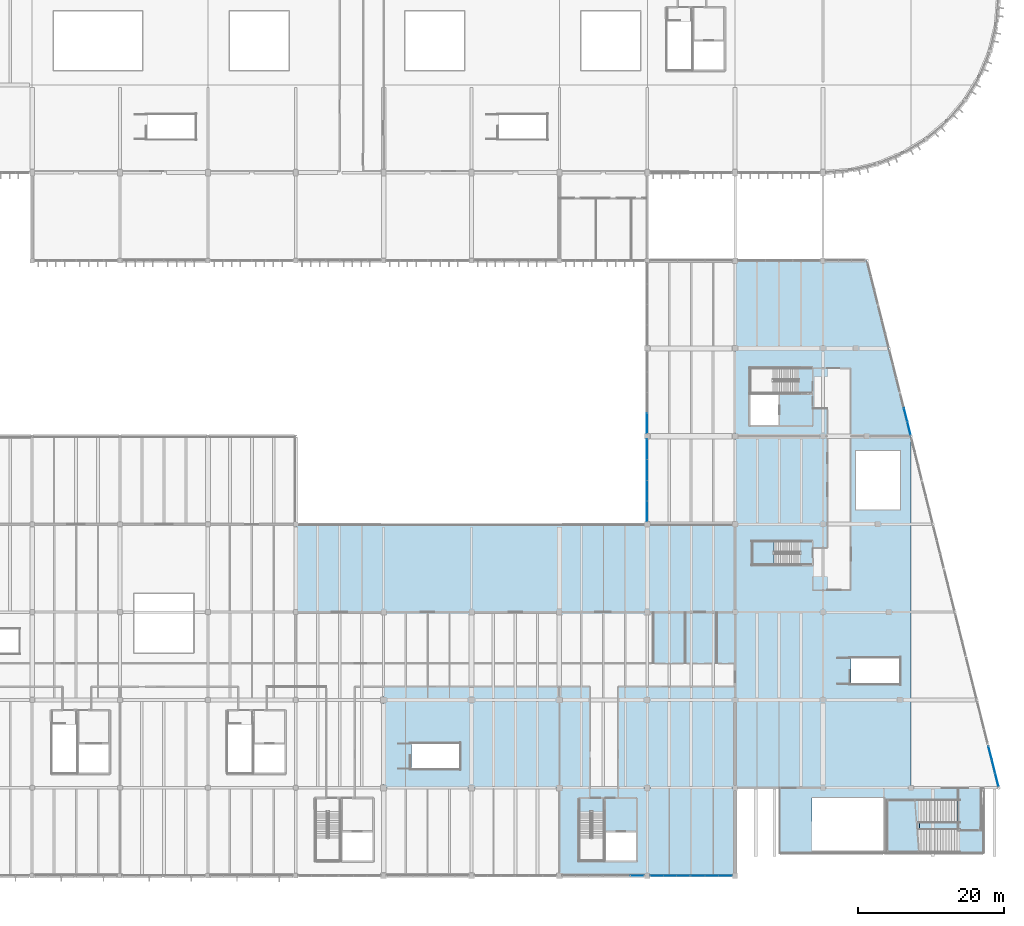
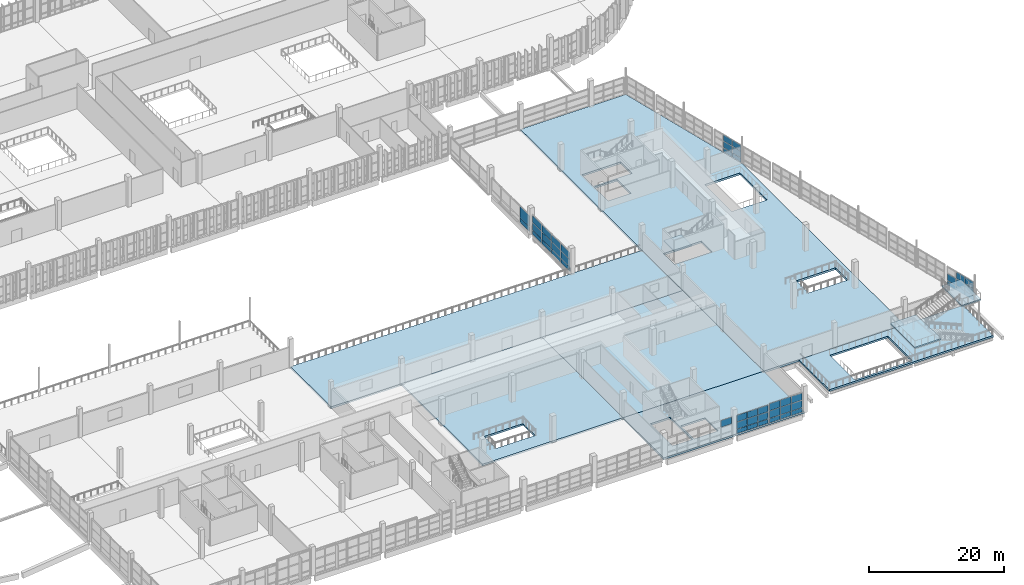
# One storey, part 64 of 112: 47 plates, 9 slabs, 9 elements without a shape of their own.
"""IFC4 building model written with IfcOpenShell, lengths in metres."""

from ifc_helpers import new_model, si_unit, direction, frame, origin, origin_2d, place, context, subcontext, project, spatial, polyline, rectangle, outline, extrude, material, layer, layer_set, type_object, element, aggregate, save


model = new_model("IFC4")

# Units and contexts
model_context = context("Model", 3, precision=1e-05, world=origin(), true_north=direction((0.0, 1.0)))
body_context = subcontext(model_context, "Body", "Model", "MODEL_VIEW")
ifc_project = project(units=[si_unit("LENGTHUNIT", "METRE"), si_unit("AREAUNIT", "SQUARE_METRE"), si_unit("VOLUMEUNIT", "CUBIC_METRE"), si_unit("PLANEANGLEUNIT", "RADIAN"), si_unit("MASSUNIT", "GRAM", prefix="KILO")], contexts=[model_context])

# Site, building, storey
site_placement = place(None, origin())
site = spatial("IfcSite", under=ifc_project, at=site_placement, CompositionType="ELEMENT")
building_placement = place(site_placement, origin())
building = spatial("IfcBuilding", under=site, at=building_placement, Name="Kamomehara Wholesale Market", CompositionType="ELEMENT")
storey_placement = place(building_placement, frame((0.0, 0.0, 6.60009765625)))
storey = spatial("IfcBuildingStorey", under=building, at=storey_placement, Name="L01", CompositionType="ELEMENT", Elevation=6.60009765625)

# Curtain wall, plate
ifc_material_1 = material(Name="Anodised aluminium 6063-T5", Category="aluminium")
curtain_wall_type_1 = type_object("IfcCurtainWallType", Name="CW-UN-01", PredefinedType="NOTDEFINED", material=ifc_material_1)
curtain_wall_1_placement = place(storey_placement, origin())
curtain_wall_1 = element("IfcCurtainWall", 1, at=curtain_wall_1_placement, inside=storey, type_object=curtain_wall_type_1, Name="Unitised curtain wall CW-139", PredefinedType="NOTDEFINED")
ifc_material_2 = material(Name="Solar-control Low-E double glazing", Category="glass")
ifc_layer_1 = layer(ifc_material_2, 0.028076171875)
ifc_layer_set_1 = layer_set([ifc_layer_1], Name="Solar-control Low-E double glazing")
plate_type_1 = type_object("IfcPlateType", Name="CW-PNL-GLZ", PredefinedType="CURTAIN_PANEL", material=ifc_layer_set_1)
plate_1_placement = place(storey_placement, frame((154.657958984375, 11.97998046875, 2.17138671875), z_axis=(0.0, 0.0, 1.0), x_axis=(-1.0, 0.0, 0.0)))
plate_1 = element("IfcPlate", 2, at=plate_1_placement, type_object=plate_type_1, Name="Curtain panel CW-139.0.2", PredefinedType="CURTAIN_PANEL", context=body_context, shape_type="SweptSolid", body=[
    extrude(rectangle(XDim=1.782958984375, YDim=0.028076171875, at=origin_2d()), origin(), (0.0, 0.0, 1.0), 1.19091796875),
])
aggregate(curtain_wall_1, [plate_1])

# Curtain wall, plates
curtain_wall_2_placement = place(storey_placement, origin())
curtain_wall_2 = element("IfcCurtainWall", 3, at=curtain_wall_2_placement, inside=storey, type_object=curtain_wall_type_1, Name="Unitised curtain wall CW-141", PredefinedType="NOTDEFINED")
plate_2_placement = place(storey_placement, frame((166.6669921875, 11.97998046875, 0.8798828125), z_axis=(0.0, 0.0, 1.0), x_axis=(-1.0, 0.0, 0.0)))
plate_2 = element("IfcPlate", 4, at=plate_2_placement, type_object=plate_type_1, Name="Curtain panel CW-141.0.1", PredefinedType="CURTAIN_PANEL", context=body_context, shape_type="SweptSolid", body=[
    extrude(rectangle(XDim=1.787109375, YDim=0.028076171875, at=origin_2d()), origin(), (0.0, 0.0, 1.0), 1.305908203125),
])
plate_3_placement = place(storey_placement, frame((166.6669921875, 11.97998046875, 2.246337890625), z_axis=(0.0, 0.0, 1.0), x_axis=(-1.0, 0.0, 0.0)))
plate_3 = element("IfcPlate", 5, at=plate_3_placement, type_object=plate_type_1, Name="Curtain panel CW-141.0.2", PredefinedType="CURTAIN_PANEL", context=body_context, shape_type="SweptSolid", body=[
    extrude(rectangle(XDim=1.787109375, YDim=0.028076171875, at=origin_2d()), origin(), (0.0, 0.0, 1.0), 1.26708984375),
])
plate_4_placement = place(storey_placement, frame((164.800048828125, 11.97998046875, 0.8798828125), z_axis=(0.0, 0.0, 1.0), x_axis=(-1.0, 0.0, 0.0)))
plate_4 = element("IfcPlate", 6, at=plate_4_placement, type_object=plate_type_1, Name="Curtain panel CW-141.1.1", PredefinedType="CURTAIN_PANEL", context=body_context, shape_type="SweptSolid", body=[
    extrude(rectangle(XDim=1.787109375, YDim=0.028076171875, at=origin_2d()), origin(), (0.0, 0.0, 1.0), 1.305908203125),
])
plate_5_placement = place(storey_placement, frame((164.800048828125, 11.97998046875, 2.246337890625), z_axis=(0.0, 0.0, 1.0), x_axis=(-1.0, 0.0, 0.0)))
plate_5 = element("IfcPlate", 7, at=plate_5_placement, type_object=plate_type_1, Name="Curtain panel CW-141.1.2", PredefinedType="CURTAIN_PANEL", context=body_context, shape_type="SweptSolid", body=[
    extrude(rectangle(XDim=1.787109375, YDim=0.028076171875, at=origin_2d()), origin(), (0.0, 0.0, 1.0), 1.26708984375),
])
plate_6_placement = place(storey_placement, frame((162.93310546875, 11.97998046875, 0.8798828125), z_axis=(0.0, 0.0, 1.0), x_axis=(-1.0, 0.0, 0.0)))
plate_6 = element("IfcPlate", 8, at=plate_6_placement, type_object=plate_type_1, Name="Curtain panel CW-141.2.1", PredefinedType="CURTAIN_PANEL", context=body_context, shape_type="SweptSolid", body=[
    extrude(rectangle(XDim=1.787109375, YDim=0.028076171875, at=origin_2d()), origin(), (0.0, 0.0, 1.0), 1.305908203125),
])
plate_7_placement = place(storey_placement, frame((162.93310546875, 11.97998046875, 2.246337890625), z_axis=(0.0, 0.0, 1.0), x_axis=(-1.0, 0.0, 0.0)))
plate_7 = element("IfcPlate", 9, at=plate_7_placement, type_object=plate_type_1, Name="Curtain panel CW-141.2.2", PredefinedType="CURTAIN_PANEL", context=body_context, shape_type="SweptSolid", body=[
    extrude(rectangle(XDim=1.787109375, YDim=0.028076171875, at=origin_2d()), origin(), (0.0, 0.0, 1.0), 1.26708984375),
])

curtain_wall_3_placement = place(storey_placement, origin())
curtain_wall_3 = element("IfcCurtainWall", 10, at=curtain_wall_3_placement, inside=storey, type_object=curtain_wall_type_1, Name="Unitised curtain wall CW-142", PredefinedType="NOTDEFINED")
plate_8_placement = place(storey_placement, frame((160.902099609375, 11.97998046875, 0.8798828125), z_axis=(0.0, 0.0, 1.0), x_axis=(-1.0, 0.0, 0.0)))
plate_8 = element("IfcPlate", 11, at=plate_8_placement, type_object=plate_type_1, Name="Curtain panel CW-142.0.1", PredefinedType="CURTAIN_PANEL", context=body_context, shape_type="SweptSolid", body=[
    extrude(rectangle(XDim=1.717041015625, YDim=0.028076171875, at=origin_2d()), origin(), (0.0, 0.0, 1.0), 1.23193359375),
])
plate_9_placement = place(storey_placement, frame((160.902099609375, 11.97998046875, 2.17138671875), z_axis=(0.0, 0.0, 1.0), x_axis=(-1.0, 0.0, 0.0)))
plate_9 = element("IfcPlate", 12, at=plate_9_placement, type_object=plate_type_1, Name="Curtain panel CW-142.0.2", PredefinedType="CURTAIN_PANEL", context=body_context, shape_type="SweptSolid", body=[
    extrude(rectangle(XDim=1.717041015625, YDim=0.028076171875, at=origin_2d()), origin(), (0.0, 0.0, 1.0), 1.19091796875),
])
plate_10_placement = place(storey_placement, frame((159.10498046875, 11.97998046875, 0.8798828125), z_axis=(0.0, 0.0, 1.0), x_axis=(-1.0, 0.0, 0.0)))
plate_10 = element("IfcPlate", 13, at=plate_10_placement, type_object=plate_type_1, Name="Curtain panel CW-142.1.1", PredefinedType="CURTAIN_PANEL", context=body_context, shape_type="SweptSolid", body=[
    extrude(rectangle(XDim=1.717041015625, YDim=0.028076171875, at=origin_2d()), origin(), (0.0, 0.0, 1.0), 1.23193359375),
])
plate_11_placement = place(storey_placement, frame((159.10498046875, 11.97998046875, 2.17138671875), z_axis=(0.0, 0.0, 1.0), x_axis=(-1.0, 0.0, 0.0)))
plate_11 = element("IfcPlate", 14, at=plate_11_placement, type_object=plate_type_1, Name="Curtain panel CW-142.1.2", PredefinedType="CURTAIN_PANEL", context=body_context, shape_type="SweptSolid", body=[
    extrude(rectangle(XDim=1.717041015625, YDim=0.028076171875, at=origin_2d()), origin(), (0.0, 0.0, 1.0), 1.19091796875),
])
plate_12_placement = place(storey_placement, frame((157.30810546875, 11.97998046875, 0.8798828125), z_axis=(0.0, 0.0, 1.0), x_axis=(-1.0, 0.0, 0.0)))
plate_12 = element("IfcPlate", 15, at=plate_12_placement, type_object=plate_type_1, Name="Curtain panel CW-142.2.1", PredefinedType="CURTAIN_PANEL", context=body_context, shape_type="SweptSolid", body=[
    extrude(rectangle(XDim=1.717041015625, YDim=0.028076171875, at=origin_2d()), origin(), (0.0, 0.0, 1.0), 1.23193359375),
])
plate_13_placement = place(storey_placement, frame((157.30810546875, 11.97998046875, 2.17138671875), z_axis=(0.0, 0.0, 1.0), x_axis=(-1.0, 0.0, 0.0)))
plate_13 = element("IfcPlate", 16, at=plate_13_placement, type_object=plate_type_1, Name="Curtain panel CW-142.2.2", PredefinedType="CURTAIN_PANEL", context=body_context, shape_type="SweptSolid", body=[
    extrude(rectangle(XDim=1.717041015625, YDim=0.028076171875, at=origin_2d()), origin(), (0.0, 0.0, 1.0), 1.19091796875),
])

ifc_material_3 = material(Name="Anodised aluminium 6063-T5", Category="aluminium")
curtain_wall_type_2 = type_object("IfcCurtainWallType", Name="CW-UN-09", PredefinedType="NOTDEFINED", material=ifc_material_3)
curtain_wall_4_placement = place(storey_placement, origin())
curtain_wall_4 = element("IfcCurtainWall", 17, at=curtain_wall_4_placement, inside=storey, type_object=curtain_wall_type_2, Name="Unitised curtain wall CW-178", PredefinedType="NOTDEFINED")
plate_14_placement = place(storey_placement, frame((202.8330078125, 28.751953125, 0.8798828125), z_axis=(0.0, 0.0, 1.0), x_axis=(0.242446840674, -0.97016469192, 0.0)))
plate_14 = element("IfcPlate", 18, at=plate_14_placement, type_object=plate_type_1, Name="Curtain panel CW-178.0.1", PredefinedType="CURTAIN_PANEL", context=body_context, shape_type="SweptSolid", body=[
    extrude(rectangle(XDim=1.802001953125, YDim=0.028076171875, at=origin_2d()), origin(), (0.0, 0.0, 1.0), 1.236083984375),
])
plate_15_placement = place(storey_placement, frame((203.2890625, 26.926025390625, 0.8798828125), z_axis=(0.0, 0.0, 1.0), x_axis=(0.242446840674, -0.97016469192, 0.0)))
plate_15 = element("IfcPlate", 19, at=plate_15_placement, type_object=plate_type_1, Name="Curtain panel CW-178.1.1", PredefinedType="CURTAIN_PANEL", context=body_context, shape_type="SweptSolid", body=[
    extrude(rectangle(XDim=1.802001953125, YDim=0.028076171875, at=origin_2d()), origin(), (0.0, 0.0, 1.0), 1.236083984375),
])
plate_16_placement = place(storey_placement, frame((203.2890625, 26.926025390625, 2.17626953125), z_axis=(0.0, 0.0, 1.0), x_axis=(0.242446840674, -0.97016469192, 0.0)))
plate_16 = element("IfcPlate", 20, at=plate_16_placement, type_object=plate_type_1, Name="Curtain panel CW-178.1.2", PredefinedType="CURTAIN_PANEL", context=body_context, shape_type="SweptSolid", body=[
    extrude(rectangle(XDim=1.802001953125, YDim=0.028076171875, at=origin_2d()), origin(), (0.0, 0.0, 1.0), 1.197021484375),
])
plate_17_placement = place(storey_placement, frame((203.7451171875, 25.10009765625, 0.8798828125), z_axis=(0.0, 0.0, 1.0), x_axis=(0.242446840674, -0.97016469192, 0.0)))
plate_17 = element("IfcPlate", 21, at=plate_17_placement, type_object=plate_type_1, Name="Curtain panel CW-178.2.1", PredefinedType="CURTAIN_PANEL", context=body_context, shape_type="SweptSolid", body=[
    extrude(rectangle(XDim=1.802001953125, YDim=0.028076171875, at=origin_2d()), origin(), (0.0, 0.0, 1.0), 1.236083984375),
])
plate_18_placement = place(storey_placement, frame((203.7451171875, 25.10009765625, 2.17626953125), z_axis=(0.0, 0.0, 1.0), x_axis=(0.242446840674, -0.97016469192, 0.0)))
plate_18 = element("IfcPlate", 22, at=plate_18_placement, type_object=plate_type_1, Name="Curtain panel CW-178.2.2", PredefinedType="CURTAIN_PANEL", context=body_context, shape_type="SweptSolid", body=[
    extrude(rectangle(XDim=1.802001953125, YDim=0.028076171875, at=origin_2d()), origin(), (0.0, 0.0, 1.0), 1.197021484375),
])

curtain_wall_5_placement = place(storey_placement, origin())
curtain_wall_5 = element("IfcCurtainWall", 23, at=curtain_wall_5_placement, inside=storey, type_object=curtain_wall_type_2, Name="Unitised curtain wall CW-186", PredefinedType="NOTDEFINED")
plate_19_placement = place(storey_placement, frame((191.2890625, 74.926025390625, 0.88037109375), z_axis=(0.0, 0.0, 1.0), x_axis=(0.242446840674, -0.97016469192, 0.0)))
plate_19 = element("IfcPlate", 24, at=plate_19_placement, type_object=plate_type_1, Name="Curtain panel CW-186.1.1", PredefinedType="CURTAIN_PANEL", context=body_context, shape_type="SweptSolid", body=[
    extrude(rectangle(XDim=1.802001953125, YDim=0.028076171875, at=origin_2d()), origin(), (0.0, 0.0, 1.0), 1.138916015625),
])
plate_20_placement = place(storey_placement, frame((191.2890625, 74.926025390625, 2.079345703125), z_axis=(0.0, 0.0, 1.0), x_axis=(0.242446840674, -0.97016469192, 0.0)))
plate_20 = element("IfcPlate", 25, at=plate_20_placement, type_object=plate_type_1, Name="Curtain panel CW-186.1.2", PredefinedType="CURTAIN_PANEL", context=body_context, shape_type="SweptSolid", body=[
    extrude(rectangle(XDim=1.802001953125, YDim=0.028076171875, at=origin_2d()), origin(), (0.0, 0.0, 1.0), 1.09912109375),
])
plate_21_placement = place(storey_placement, frame((191.7451171875, 73.10009765625, 0.88037109375), z_axis=(0.0, 0.0, 1.0), x_axis=(0.242446840674, -0.97016469192, 0.0)))
plate_21 = element("IfcPlate", 26, at=plate_21_placement, type_object=plate_type_1, Name="Curtain panel CW-186.2.1", PredefinedType="CURTAIN_PANEL", context=body_context, shape_type="SweptSolid", body=[
    extrude(rectangle(XDim=1.802001953125, YDim=0.028076171875, at=origin_2d()), origin(), (0.0, 0.0, 1.0), 1.138916015625),
])
plate_22_placement = place(storey_placement, frame((191.7451171875, 73.10009765625, 2.079345703125), z_axis=(0.0, 0.0, 1.0), x_axis=(0.242446840674, -0.97016469192, 0.0)))
plate_22 = element("IfcPlate", 27, at=plate_22_placement, type_object=plate_type_1, Name="Curtain panel CW-186.2.2", PredefinedType="CURTAIN_PANEL", context=body_context, shape_type="SweptSolid", body=[
    extrude(rectangle(XDim=1.802001953125, YDim=0.028076171875, at=origin_2d()), origin(), (0.0, 0.0, 1.0), 1.09912109375),
])

curtain_wall_6_placement = place(storey_placement, origin())
curtain_wall_6 = element("IfcCurtainWall", 28, at=curtain_wall_6_placement, inside=storey, type_object=curtain_wall_type_1, Name="Unitised curtain wall CW-192", PredefinedType="NOTDEFINED")
plate_23_placement = place(storey_placement, frame((155.97998046875, 61.7890625, 0.8798828125), z_axis=(0.0, 0.0, 1.0), x_axis=(0.0, 1.0, 0.0)))
plate_23 = element("IfcPlate", 29, at=plate_23_placement, type_object=plate_type_1, Name="Curtain panel CW-192.0.1", PredefinedType="CURTAIN_PANEL", context=body_context, shape_type="SweptSolid", body=[
    extrude(rectangle(XDim=2.72705078125, YDim=0.028076171875, at=origin_2d()), origin(), (0.0, 0.0, 1.0), 1.2939453125),
])
plate_24_placement = place(storey_placement, frame((155.97998046875, 61.7890625, 2.23388671875), z_axis=(0.0, 0.0, 1.0), x_axis=(0.0, 1.0, 0.0)))
plate_24 = element("IfcPlate", 30, at=plate_24_placement, type_object=plate_type_1, Name="Curtain panel CW-192.0.2", PredefinedType="CURTAIN_PANEL", context=body_context, shape_type="SweptSolid", body=[
    extrude(rectangle(XDim=2.72705078125, YDim=0.028076171875, at=origin_2d()), origin(), (0.0, 0.0, 1.0), 1.25390625),
])
plate_25_placement = place(storey_placement, frame((155.97998046875, 64.595947265625, 0.8798828125), z_axis=(0.0, 0.0, 1.0), x_axis=(0.0, 1.0, 0.0)))
plate_25 = element("IfcPlate", 31, at=plate_25_placement, type_object=plate_type_1, Name="Curtain panel CW-192.1.1", PredefinedType="CURTAIN_PANEL", context=body_context, shape_type="SweptSolid", body=[
    extrude(rectangle(XDim=2.72705078125, YDim=0.028076171875, at=origin_2d()), origin(), (0.0, 0.0, 1.0), 1.2939453125),
])
plate_26_placement = place(storey_placement, frame((155.97998046875, 64.595947265625, 2.23388671875), z_axis=(0.0, 0.0, 1.0), x_axis=(0.0, 1.0, 0.0)))
plate_26 = element("IfcPlate", 32, at=plate_26_placement, type_object=plate_type_1, Name="Curtain panel CW-192.1.2", PredefinedType="CURTAIN_PANEL", context=body_context, shape_type="SweptSolid", body=[
    extrude(rectangle(XDim=2.72705078125, YDim=0.028076171875, at=origin_2d()), origin(), (0.0, 0.0, 1.0), 1.25390625),
])
plate_27_placement = place(storey_placement, frame((155.97998046875, 67.404052734375, 0.8798828125), z_axis=(0.0, 0.0, 1.0), x_axis=(0.0, 1.0, 0.0)))
plate_27 = element("IfcPlate", 33, at=plate_27_placement, type_object=plate_type_1, Name="Curtain panel CW-192.2.1", PredefinedType="CURTAIN_PANEL", context=body_context, shape_type="SweptSolid", body=[
    extrude(rectangle(XDim=2.72705078125, YDim=0.028076171875, at=origin_2d()), origin(), (0.0, 0.0, 1.0), 1.2939453125),
])
plate_28_placement = place(storey_placement, frame((155.97998046875, 67.404052734375, 2.23388671875), z_axis=(0.0, 0.0, 1.0), x_axis=(0.0, 1.0, 0.0)))
plate_28 = element("IfcPlate", 34, at=plate_28_placement, type_object=plate_type_1, Name="Curtain panel CW-192.2.2", PredefinedType="CURTAIN_PANEL", context=body_context, shape_type="SweptSolid", body=[
    extrude(rectangle(XDim=2.72705078125, YDim=0.028076171875, at=origin_2d()), origin(), (0.0, 0.0, 1.0), 1.25390625),
])
plate_29_placement = place(storey_placement, frame((155.97998046875, 70.2109375, 0.8798828125), z_axis=(0.0, 0.0, 1.0), x_axis=(0.0, 1.0, 0.0)))
plate_29 = element("IfcPlate", 35, at=plate_29_placement, type_object=plate_type_1, Name="Curtain panel CW-192.3.1", PredefinedType="CURTAIN_PANEL", context=body_context, shape_type="SweptSolid", body=[
    extrude(rectangle(XDim=2.72705078125, YDim=0.028076171875, at=origin_2d()), origin(), (0.0, 0.0, 1.0), 1.2939453125),
])
plate_30_placement = place(storey_placement, frame((155.97998046875, 70.2109375, 2.23388671875), z_axis=(0.0, 0.0, 1.0), x_axis=(0.0, 1.0, 0.0)))
plate_30 = element("IfcPlate", 36, at=plate_30_placement, type_object=plate_type_1, Name="Curtain panel CW-192.3.2", PredefinedType="CURTAIN_PANEL", context=body_context, shape_type="SweptSolid", body=[
    extrude(rectangle(XDim=2.72705078125, YDim=0.028076171875, at=origin_2d()), origin(), (0.0, 0.0, 1.0), 1.25390625),
])

# Curtain wall, plate
curtain_wall_7_placement = place(storey_placement, origin())
curtain_wall_7 = element("IfcCurtainWall", 37, at=curtain_wall_7_placement, inside=storey, type_object=curtain_wall_type_1, Name="Unitised curtain wall CW-193", PredefinedType="NOTDEFINED")
plate_31_placement = place(storey_placement, frame((155.97998046875, 73.7890625, 0.8798828125), z_axis=(0.0, 0.0, 1.0), x_axis=(0.0, 1.0, 0.0)))
plate_31 = element("IfcPlate", 38, at=plate_31_placement, type_object=plate_type_1, Name="Curtain panel CW-193.0.1", PredefinedType="CURTAIN_PANEL", context=body_context, shape_type="SweptSolid", body=[
    extrude(rectangle(XDim=2.72705078125, YDim=0.028076171875, at=origin_2d()), origin(), (0.0, 0.0, 1.0), 2.01806640625),
])

# Plate
ifc_material_4 = material(Name="Insulated aluminium spandrel panel", Category="aluminium")
ifc_layer_2 = layer(ifc_material_4, 0.0400390625)
ifc_layer_set_2 = layer_set([ifc_layer_2], Name="Insulated aluminium spandrel panel")
plate_type_2 = type_object("IfcPlateType", Name="CW-PNL-SPN", PredefinedType="CURTAIN_PANEL", material=ifc_layer_set_2)
plate_32_placement = place(storey_placement, frame((166.6669921875, 11.97998046875, 0.06982421875), z_axis=(0.0, 0.0, 1.0), x_axis=(-1.0, 0.0, 0.0)))
plate_32 = element("IfcPlate", 39, at=plate_32_placement, type_object=plate_type_2, Name="Curtain panel CW-141.0.0", PredefinedType="CURTAIN_PANEL", context=body_context, shape_type="SweptSolid", body=[
    extrude(rectangle(XDim=1.787109375, YDim=0.0400390625, at=origin_2d()), origin(), (0.0, 0.0, 1.0), 0.75),
])

plate_33_placement = place(storey_placement, frame((164.800048828125, 11.97998046875, 0.06982421875), z_axis=(0.0, 0.0, 1.0), x_axis=(-1.0, 0.0, 0.0)))
plate_33 = element("IfcPlate", 40, at=plate_33_placement, type_object=plate_type_2, Name="Curtain panel CW-141.1.0", PredefinedType="CURTAIN_PANEL", context=body_context, shape_type="SweptSolid", body=[
    extrude(rectangle(XDim=1.787109375, YDim=0.0400390625, at=origin_2d()), origin(), (0.0, 0.0, 1.0), 0.75),
])

plate_34_placement = place(storey_placement, frame((162.93310546875, 11.97998046875, 0.06982421875), z_axis=(0.0, 0.0, 1.0), x_axis=(-1.0, 0.0, 0.0)))
plate_34 = element("IfcPlate", 41, at=plate_34_placement, type_object=plate_type_2, Name="Curtain panel CW-141.2.0", PredefinedType="CURTAIN_PANEL", context=body_context, shape_type="SweptSolid", body=[
    extrude(rectangle(XDim=1.787109375, YDim=0.0400390625, at=origin_2d()), origin(), (0.0, 0.0, 1.0), 0.75),
])

aggregate(curtain_wall_2, [plate_32, plate_2, plate_3, plate_33, plate_4, plate_5, plate_34, plate_6, plate_7])

plate_35_placement = place(storey_placement, frame((160.902099609375, 11.97998046875, 0.06982421875), z_axis=(0.0, 0.0, 1.0), x_axis=(-1.0, 0.0, 0.0)))
plate_35 = element("IfcPlate", 42, at=plate_35_placement, type_object=plate_type_2, Name="Curtain panel CW-142.0.0", PredefinedType="CURTAIN_PANEL", context=body_context, shape_type="SweptSolid", body=[
    extrude(rectangle(XDim=1.717041015625, YDim=0.0400390625, at=origin_2d()), origin(), (0.0, 0.0, 1.0), 0.75),
])

plate_36_placement = place(storey_placement, frame((159.10498046875, 11.97998046875, 0.06982421875), z_axis=(0.0, 0.0, 1.0), x_axis=(-1.0, 0.0, 0.0)))
plate_36 = element("IfcPlate", 43, at=plate_36_placement, type_object=plate_type_2, Name="Curtain panel CW-142.1.0", PredefinedType="CURTAIN_PANEL", context=body_context, shape_type="SweptSolid", body=[
    extrude(rectangle(XDim=1.717041015625, YDim=0.0400390625, at=origin_2d()), origin(), (0.0, 0.0, 1.0), 0.75),
])

plate_37_placement = place(storey_placement, frame((157.30810546875, 11.97998046875, 0.06982421875), z_axis=(0.0, 0.0, 1.0), x_axis=(-1.0, 0.0, 0.0)))
plate_37 = element("IfcPlate", 44, at=plate_37_placement, type_object=plate_type_2, Name="Curtain panel CW-142.2.0", PredefinedType="CURTAIN_PANEL", context=body_context, shape_type="SweptSolid", body=[
    extrude(rectangle(XDim=1.717041015625, YDim=0.0400390625, at=origin_2d()), origin(), (0.0, 0.0, 1.0), 0.75),
])

aggregate(curtain_wall_3, [plate_35, plate_8, plate_9, plate_36, plate_10, plate_11, plate_37, plate_12, plate_13])

plate_38_placement = place(storey_placement, frame((202.8330078125, 28.751953125, 0.06982421875), z_axis=(0.0, 0.0, 1.0), x_axis=(0.242446840674, -0.97016469192, 0.0)))
plate_38 = element("IfcPlate", 45, at=plate_38_placement, type_object=plate_type_2, Name="Curtain panel CW-178.0.0", PredefinedType="CURTAIN_PANEL", context=body_context, shape_type="SweptSolid", body=[
    extrude(rectangle(XDim=1.802001953125, YDim=0.0400390625, at=origin_2d()), origin(), (0.0, 0.0, 1.0), 0.75),
])

plate_39_placement = place(storey_placement, frame((203.2890625, 26.926025390625, 0.06982421875), z_axis=(0.0, 0.0, 1.0), x_axis=(0.242446840674, -0.97016469192, 0.0)))
plate_39 = element("IfcPlate", 46, at=plate_39_placement, type_object=plate_type_2, Name="Curtain panel CW-178.1.0", PredefinedType="CURTAIN_PANEL", context=body_context, shape_type="SweptSolid", body=[
    extrude(rectangle(XDim=1.802001953125, YDim=0.0400390625, at=origin_2d()), origin(), (0.0, 0.0, 1.0), 0.75),
])

plate_40_placement = place(storey_placement, frame((203.7451171875, 25.10009765625, 0.06982421875), z_axis=(0.0, 0.0, 1.0), x_axis=(0.242446840674, -0.97016469192, 0.0)))
plate_40 = element("IfcPlate", 47, at=plate_40_placement, type_object=plate_type_2, Name="Curtain panel CW-178.2.0", PredefinedType="CURTAIN_PANEL", context=body_context, shape_type="SweptSolid", body=[
    extrude(rectangle(XDim=1.802001953125, YDim=0.0400390625, at=origin_2d()), origin(), (0.0, 0.0, 1.0), 0.75),
])

aggregate(curtain_wall_4, [plate_38, plate_14, plate_39, plate_15, plate_16, plate_40, plate_17, plate_18])

plate_41_placement = place(storey_placement, frame((191.2890625, 74.926025390625, 0.06982421875), z_axis=(0.0, 0.0, 1.0), x_axis=(0.242446840674, -0.97016469192, 0.0)))
plate_41 = element("IfcPlate", 48, at=plate_41_placement, type_object=plate_type_2, Name="Curtain panel CW-186.1.0", PredefinedType="CURTAIN_PANEL", context=body_context, shape_type="SweptSolid", body=[
    extrude(rectangle(XDim=1.802001953125, YDim=0.0400390625, at=origin_2d()), origin(), (0.0, 0.0, 1.0), 0.75),
])

plate_42_placement = place(storey_placement, frame((191.7451171875, 73.10009765625, 0.06982421875), z_axis=(0.0, 0.0, 1.0), x_axis=(0.242446840674, -0.97016469192, 0.0)))
plate_42 = element("IfcPlate", 49, at=plate_42_placement, type_object=plate_type_2, Name="Curtain panel CW-186.2.0", PredefinedType="CURTAIN_PANEL", context=body_context, shape_type="SweptSolid", body=[
    extrude(rectangle(XDim=1.802001953125, YDim=0.0400390625, at=origin_2d()), origin(), (0.0, 0.0, 1.0), 0.75),
])

aggregate(curtain_wall_5, [plate_41, plate_19, plate_20, plate_42, plate_21, plate_22])

plate_43_placement = place(storey_placement, frame((155.97998046875, 61.7890625, 0.06982421875), z_axis=(0.0, 0.0, 1.0), x_axis=(0.0, 1.0, 0.0)))
plate_43 = element("IfcPlate", 50, at=plate_43_placement, type_object=plate_type_2, Name="Curtain panel CW-192.0.0", PredefinedType="CURTAIN_PANEL", context=body_context, shape_type="SweptSolid", body=[
    extrude(rectangle(XDim=2.72705078125, YDim=0.0400390625, at=origin_2d()), origin(), (0.0, 0.0, 1.0), 0.75),
])

plate_44_placement = place(storey_placement, frame((155.97998046875, 64.595947265625, 0.06982421875), z_axis=(0.0, 0.0, 1.0), x_axis=(0.0, 1.0, 0.0)))
plate_44 = element("IfcPlate", 51, at=plate_44_placement, type_object=plate_type_2, Name="Curtain panel CW-192.1.0", PredefinedType="CURTAIN_PANEL", context=body_context, shape_type="SweptSolid", body=[
    extrude(rectangle(XDim=2.72705078125, YDim=0.0400390625, at=origin_2d()), origin(), (0.0, 0.0, 1.0), 0.75),
])

plate_45_placement = place(storey_placement, frame((155.97998046875, 67.404052734375, 0.06982421875), z_axis=(0.0, 0.0, 1.0), x_axis=(0.0, 1.0, 0.0)))
plate_45 = element("IfcPlate", 52, at=plate_45_placement, type_object=plate_type_2, Name="Curtain panel CW-192.2.0", PredefinedType="CURTAIN_PANEL", context=body_context, shape_type="SweptSolid", body=[
    extrude(rectangle(XDim=2.72705078125, YDim=0.0400390625, at=origin_2d()), origin(), (0.0, 0.0, 1.0), 0.75),
])

plate_46_placement = place(storey_placement, frame((155.97998046875, 70.2109375, 0.06982421875), z_axis=(0.0, 0.0, 1.0), x_axis=(0.0, 1.0, 0.0)))
plate_46 = element("IfcPlate", 53, at=plate_46_placement, type_object=plate_type_2, Name="Curtain panel CW-192.3.0", PredefinedType="CURTAIN_PANEL", context=body_context, shape_type="SweptSolid", body=[
    extrude(rectangle(XDim=2.72705078125, YDim=0.0400390625, at=origin_2d()), origin(), (0.0, 0.0, 1.0), 0.75),
])

aggregate(curtain_wall_6, [plate_43, plate_23, plate_24, plate_44, plate_25, plate_26, plate_45, plate_27, plate_28, plate_46, plate_29, plate_30])

plate_47_placement = place(storey_placement, frame((155.97998046875, 73.7890625, 0.06982421875), z_axis=(0.0, 0.0, 1.0), x_axis=(0.0, 1.0, 0.0)))
plate_47 = element("IfcPlate", 54, at=plate_47_placement, type_object=plate_type_2, Name="Curtain panel CW-193.0.0", PredefinedType="CURTAIN_PANEL", context=body_context, shape_type="SweptSolid", body=[
    extrude(rectangle(XDim=2.72705078125, YDim=0.0400390625, at=origin_2d()), origin(), (0.0, 0.0, 1.0), 0.75),
])

aggregate(curtain_wall_7, [plate_47, plate_31])

# Slabs
ifc_material_5 = material(Name="Concrete Fc30 (C30/37)", Category="concrete")
ifc_layer_3 = layer(ifc_material_5, 0.324951171875)
ifc_layer_set_3 = layer_set([ifc_layer_3], Name="Concrete Fc30 (C30/37)")
slab_type_1 = type_object("IfcSlabType", Name="SLB-EXT-220", PredefinedType="FLOOR", material=ifc_layer_set_3)
slab_1_placement = place(storey_placement, frame((0.0, 0.0, -0.3251953125)))
element("IfcSlab", 55, at=slab_1_placement, inside=storey, type_object=slab_type_1, Name="External slab OSLB-L01-STAIR-TER", PredefinedType="FLOOR", context=body_context, shape_type="SweptSolid", body=[
    extrude(outline(polyline([(174.0, 15.0), (202.0, 15.0), (202.0, 24.0), (174.0, 24.0), (174.0, 15.0)]), holes=[polyline([(178.52001953125, 15.39990234375), (188.39990234375, 15.39990234375), (188.39990234375, 22.64990234375), (178.52001953125, 22.64990234375), (178.52001953125, 15.39990234375)])]), origin(), (0.0, 0.0, 1.0), 0.3251953125),
])
ifc_material_6 = material(Name="Concrete Fc30 (C30/37)", Category="concrete")
ifc_layer_4 = layer(ifc_material_6, 0.344970703125)
ifc_layer_set_4 = layer_set([ifc_layer_4], Name="Concrete Fc30 (C30/37)")
slab_type_2 = type_object("IfcSlabType", Name="SLB-EXT-250", PredefinedType="FLOOR", material=ifc_layer_set_4)
slab_2_placement = place(storey_placement, frame((0.0, 0.0, -0.34521484375)))
element("IfcSlab", 56, at=slab_2_placement, inside=storey, type_object=slab_type_2, Name="External slab OSLB-L01-TER1", PredefinedType="FLOOR", context=body_context, shape_type="SweptSolid", body=[
    extrude(outline(polyline([(108.0, 48.0), (168.0, 48.0), (168.0, 60.0), (108.0, 60.0), (108.0, 48.0)])), origin(), (0.0, 0.0, 1.0), 0.34521484375),
])
ifc_material_7 = material(Name="Concrete Fc36 (C35/45)", Category="concrete")
ifc_layer_5 = layer(ifc_material_7, 0.31005859375)
ifc_layer_set_5 = layer_set([ifc_layer_5], Name="Concrete Fc36 (C35/45)")
slab_type_3 = type_object("IfcSlabType", Name="SLB-FLR-220", PredefinedType="FLOOR", material=ifc_layer_set_5)
slab_3_placement = place(storey_placement, frame((0.0, 0.0, -0.31005859375)))
element("IfcSlab", 57, at=slab_3_placement, inside=storey, type_object=slab_type_3, Name="Floor slab V5 L01 105", PredefinedType="FLOOR", context=body_context, shape_type="SweptSolid", body=[
    extrude(outline(polyline([(168.0, 12.0), (144.0, 12.0), (144.0, 24.0), (168.0, 24.0), (168.0, 12.0)]), holes=[polyline([(150.10009765625, 14.050048828125), (150.10009765625, 20.6298828125), (146.699951171875, 20.6298828125), (146.699951171875, 14.050048828125), (150.10009765625, 14.050048828125)]), polyline([(154.47998046875, 14.050048828125), (154.47998046875, 17.929931640625), (150.340087890625, 17.929931640625), (150.340087890625, 14.050048828125), (154.47998046875, 14.050048828125)])]), origin(), (0.0, 0.0, 1.0), 0.31005859375),
])
ifc_material_8 = material(Name="Concrete Fc36 (C35/45)", Category="concrete")
ifc_layer_6 = layer(ifc_material_8, 0.320068359375)
ifc_layer_set_6 = layer_set([ifc_layer_6], Name="Concrete Fc36 (C35/45)")
slab_type_4 = type_object("IfcSlabType", Name="SLB-FLR-240", PredefinedType="FLOOR", material=ifc_layer_set_6)
slab_4_placement = place(storey_placement, frame((0.0, 0.0, -0.320068359375)))
element("IfcSlab", 58, at=slab_4_placement, inside=storey, type_object=slab_type_4, Name="Floor slab V5 L01 104", PredefinedType="FLOOR", context=body_context, shape_type="SweptSolid", body=[
    extrude(outline(polyline([(144.0, 24.0), (120.0, 24.0), (120.0, 48.0), (144.0, 48.0), (144.0, 24.0)]), holes=[polyline([(130.429931640625, 26.550048828125), (130.429931640625, 30.080078125), (123.784912109375, 30.080078125), (123.784912109375, 26.550048828125), (130.429931640625, 26.550048828125)])]), origin(), (0.0, 0.0, 1.0), 0.320068359375),
])
ifc_material_9 = material(Name="Concrete Fc36 (C35/45)", Category="concrete")
ifc_layer_7 = layer(ifc_material_9, 0.340087890625)
ifc_layer_set_7 = layer_set([ifc_layer_7], Name="Concrete Fc36 (C35/45)")
slab_type_5 = type_object("IfcSlabType", Name="SLB-FLR-280", PredefinedType="FLOOR", material=ifc_layer_set_7)
slab_5_placement = place(storey_placement, frame((0.0, 0.0, -0.340087890625)))
element("IfcSlab", 59, at=slab_5_placement, inside=storey, type_object=slab_type_5, Name="Floor slab V5 L01 106", PredefinedType="FLOOR", context=body_context, shape_type="SweptSolid", body=[
    extrude(outline(polyline([(168.0, 24.0), (144.0, 24.0), (144.0, 48.0), (168.0, 48.0), (168.0, 24.0)])), origin(), (0.0, 0.0, 1.0), 0.340087890625),
])
ifc_material_10 = material(Name="Concrete Fc36 (C35/45)", Category="concrete")
ifc_layer_8 = layer(ifc_material_10, 0.35009765625)
ifc_layer_set_8 = layer_set([ifc_layer_8], Name="Concrete Fc36 (C35/45)")
slab_type_6 = type_object("IfcSlabType", Name="SLB-FLR-300", PredefinedType="FLOOR", material=ifc_layer_set_8)
slab_6_placement = place(storey_placement, frame((0.0, 0.0, -0.35009765625)))
element("IfcSlab", 60, at=slab_6_placement, inside=storey, type_object=slab_type_6, Name="Floor slab V2 L01 108", PredefinedType="FLOOR", context=body_context, shape_type="SweptSolid", body=[
    extrude(outline(polyline([(192.0, 24.0), (168.0, 24.0), (168.0, 60.0), (168.0, 96.0), (186.0, 96.0), (189.0, 84.0), (192.0, 72.0), (192.0, 24.0)]), holes=[polyline([(176.6298828125, 77.89990234375), (176.6298828125, 81.300048828125), (170.050048828125, 81.300048828125), (170.050048828125, 77.89990234375), (176.6298828125, 77.89990234375)]), polyline([(173.929931640625, 73.52001953125), (173.929931640625, 77.659912109375), (170.050048828125, 77.659912109375), (170.050048828125, 73.52001953125), (173.929931640625, 73.52001953125)]), polyline([(176.794921875, 54.47998046875), (176.794921875, 57.64990234375), (170.330078125, 57.64990234375), (170.330078125, 54.47998046875), (176.794921875, 54.47998046875)]), polyline([(190.52001953125, 38.14990234375), (190.52001953125, 41.77001953125), (183.830078125, 41.77001953125), (183.830078125, 38.14990234375), (190.52001953125, 38.14990234375)]), polyline([(190.5, 62.0), (190.5, 70.0), (184.5, 70.0), (184.5, 62.0), (190.5, 62.0)])]), origin(), (0.0, 0.0, 1.0), 0.35009765625),
])

# Stair, slab
ifc_material_11 = material(Name="Concrete Fc36 (C35/45)", Category="concrete")
stair_type_1 = type_object("IfcStairType", Name="STR-DL-03", PredefinedType="HALF_TURN_STAIR", material=ifc_material_11)
stair_1_placement = place(storey_placement, origin())
stair_1 = element("IfcStair", 61, at=stair_1_placement, inside=storey, type_object=stair_type_1, Name="L01 Exit stair ST-10", PredefinedType="HALF_TURN_STAIR")
ifc_material_12 = material(Name="Concrete Fc36 (C35/45)", Category="concrete")
ifc_layer_9 = layer(ifc_material_12, 0.199951171875)
ifc_layer_set_9 = layer_set([ifc_layer_9], Name="Concrete Fc36 (C35/45)")
slab_type_7 = type_object("IfcSlabType", Name="SLB-LND-200", PredefinedType="LANDING", material=ifc_layer_set_9)
slab_7_placement = place(storey_placement, frame((0.0, 0.0, 2.199951171875)))
slab_7 = element("IfcSlab", 62, at=slab_7_placement, type_object=slab_type_7, Name="ST-10 landing 1", PredefinedType="LANDING", context=body_context, shape_type="SweptSolid", body=[
    extrude(outline(polyline([(173.31494140625, 57.64990234375), (170.330078125, 57.64990234375), (170.330078125, 54.47998046875), (173.31494140625, 54.47998046875), (173.31494140625, 57.64990234375)])), origin(), (0.0, 0.0, 1.0), 0.199951171875),
])
aggregate(stair_1, [slab_7])

# Stair, slabs
ifc_material_13 = material(Name="Concrete Fc36 (C35/45)", Category="concrete")
stair_type_2 = type_object("IfcStairType", Name="STR-DL-09", PredefinedType="HALF_TURN_STAIR", material=ifc_material_13)
stair_2_placement = place(storey_placement, origin())
stair_2 = element("IfcStair", 63, at=stair_2_placement, inside=storey, type_object=stair_type_2, Name="Exterior ceremonial stair ST-20", PredefinedType="HALF_TURN_STAIR")
ifc_material_14 = material(Name="Concrete Fc36 (C35/45)", Category="concrete")
ifc_layer_10 = layer(ifc_material_14, 0.239990234375)
ifc_layer_set_10 = layer_set([ifc_layer_10], Name="Concrete Fc36 (C35/45)")
slab_type_8 = type_object("IfcSlabType", Name="SLB-LND-240", PredefinedType="LANDING", material=ifc_layer_set_10)
slab_8_placement = place(storey_placement, frame((0.0, 0.0, 2.159912109375)))
slab_8 = element("IfcSlab", 64, at=slab_8_placement, type_object=slab_type_8, Name="ST-20 landing 1", PredefinedType="LANDING", context=body_context, shape_type="SweptSolid", body=[
    extrude(outline(polyline([(188.699951171875, 15.199951171875), (193.199951171875, 15.199951171875), (193.199951171875, 22.39990234375), (188.699951171875, 22.39990234375), (188.699951171875, 15.199951171875)])), origin(), (0.0, 0.0, 1.0), 0.239990234375),
])
slab_9_placement = place(storey_placement, frame((0.0, 0.0, 4.559814453125)))
slab_9 = element("IfcSlab", 65, at=slab_9_placement, type_object=slab_type_8, Name="ST-20 landing 2", PredefinedType="LANDING", context=body_context, shape_type="SweptSolid", body=[
    extrude(outline(polyline([(198.39990234375, 18.10009765625), (201.64990234375, 18.10009765625), (201.64990234375, 24.0), (198.39990234375, 24.0), (198.39990234375, 18.10009765625)])), origin(), (0.0, 0.0, 1.0), 0.239990234375),
])
aggregate(stair_2, [slab_8, slab_9])

save(model, "model.ifc")
